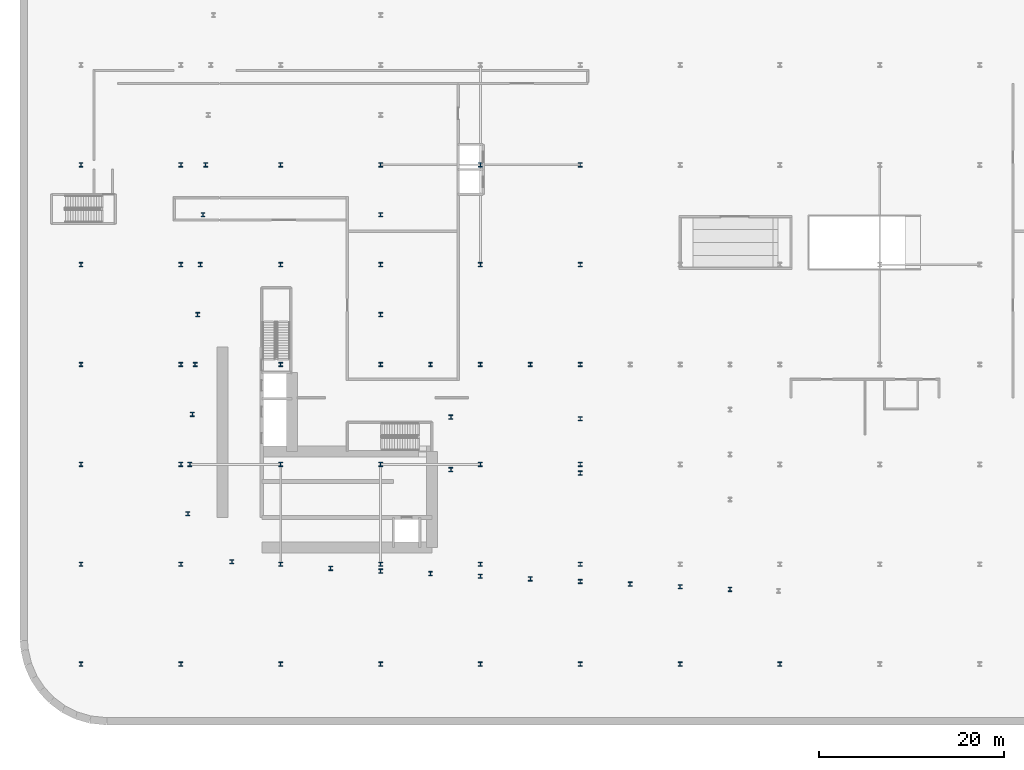
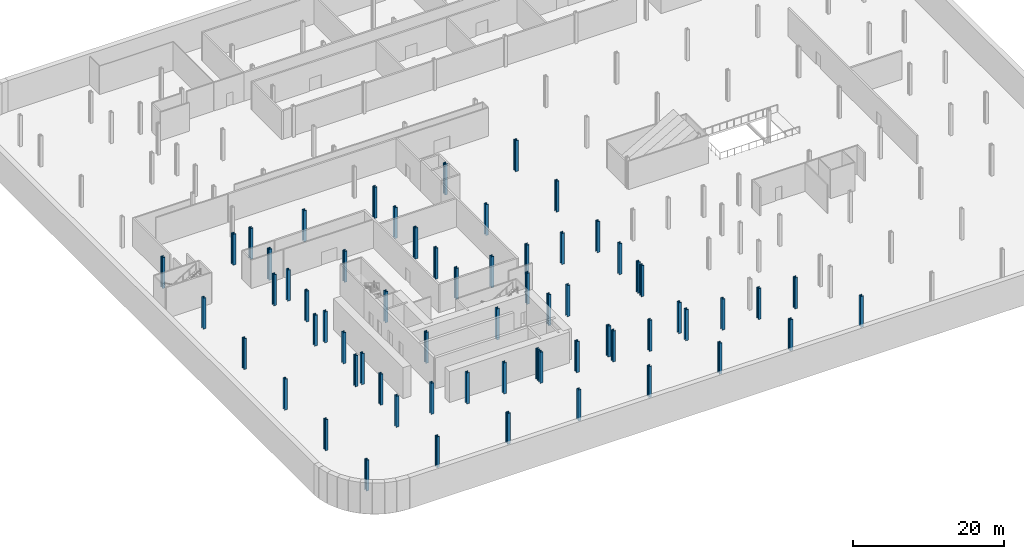
# One storey, part 1 of 19: 64 columns.
"""IFC4 building model written with IfcOpenShell, lengths in metres."""

from ifc_helpers import new_model, si_unit, direction, frame, origin, origin_2d, place, context, subcontext, project, spatial, i_section, extrude, material, material_profile, profile_set, type_object, element, save


model = new_model("IFC4")

# Units and contexts
model_context = context("Model", 3, precision=1e-05, world=origin(), true_north=direction((0.0, 1.0)))
body_context = subcontext(model_context, "Body", "Model", "MODEL_VIEW")
ifc_project = project(units=[si_unit("LENGTHUNIT", "METRE"), si_unit("AREAUNIT", "SQUARE_METRE"), si_unit("VOLUMEUNIT", "CUBIC_METRE"), si_unit("PLANEANGLEUNIT", "RADIAN"), si_unit("MASSUNIT", "GRAM", prefix="KILO")], contexts=[model_context])

# Site, building, storey
site_placement = place(None, origin())
site = spatial("IfcSite", under=ifc_project, at=site_placement, CompositionType="ELEMENT")
building_placement = place(site_placement, origin())
building = spatial("IfcBuilding", under=site, at=building_placement, Name="Kheshtan School and Residences Tower", CompositionType="ELEMENT")
storey_placement = place(building_placement, frame((0.0, 0.0, -10.0)))
storey = spatial("IfcBuildingStorey", under=building, at=storey_placement, Name="B2", CompositionType="ELEMENT", Elevation=-10.0)

# Columns
ifc_material = material(Name="Steel ASTM A992 Grade 50", Category="steel")
ifc_material_profile = material_profile(ifc_material, i_section(OverallWidth=0.424072265625, OverallDepth=0.47412109375, WebThickness=0.047607421875, FlangeThickness=0.0771484375, FilletRadius=0.01416015625, at=origin_2d()), Name="W360x634")
ifc_profile_set = profile_set([ifc_material_profile], Name="Steel ASTM A992 Grade 50")
column_type = type_object("IfcColumnType", Name="Column PC1 W360x634 ASTM A992 Grade 50", PredefinedType="COLUMN", material=ifc_profile_set)
for number, where, z_axis, x_axis, name in (
    (1, (15.199951171875, 13.199951171875, 0.0), (0.0, 0.0, 1.0), (1.0, 0.0, 0.0), "Column P-001"),
    (2, (26.0, 13.199951171875, 0.0), (0.0, 0.0, 1.0), (1.0, 0.0, 0.0), "Column P-002"),
    (3, (36.800048828125, 13.199951171875, 0.0), (0.0, 0.0, 1.0), (1.0, 0.0, 0.0), "Column P-003"),
    (4, (47.60009765625, 13.199951171875, 0.0), (0.0, 0.0, 1.0), (1.0, 0.0, 0.0), "Column P-004"),
    (5, (58.39990234375, 13.199951171875, 0.0), (0.0, 0.0, 1.0), (1.0, 0.0, 0.0), "Column P-005"),
    (6, (69.199951171875, 13.199951171875, 0.0), (0.0, 0.0, 1.0), (1.0, 0.0, 0.0), "Column P-006"),
    (7, (80.0, 13.199951171875, 0.0), (0.0, 0.0, 1.0), (1.0, 0.0, 0.0), "Column P-007"),
    (8, (90.800048828125, 13.199951171875, 0.0), (0.0, 0.0, 1.0), (1.0, 0.0, 0.0), "Column P-008"),
    (9, (15.199951171875, 24.0, 0.0), (0.0, 0.0, 1.0), (1.0, 0.0, 0.0), "Column P-013"),
    (10, (26.0, 24.0, 0.0), (0.0, 0.0, 1.0), (1.0, 0.0, 0.0), "Column P-014"),
    (11, (36.800048828125, 24.0, 0.0), (0.0, 0.0, 1.0), (1.0, 0.0, 0.0), "Column P-015"),
    (12, (47.60009765625, 24.0, 0.0), (0.0, 0.0, 1.0), (1.0, 0.0, 0.0), "Column P-016"),
    (13, (58.39990234375, 24.0, 0.0), (0.0, 0.0, 1.0), (1.0, 0.0, 0.0), "Column P-017"),
    (14, (69.199951171875, 24.0, 0.0), (0.0, 0.0, 1.0), (1.0, 0.0, 0.0), "Column P-018"),
    (15, (15.199951171875, 34.800048828125, 0.0), (0.0, 0.0, 1.0), (1.0, 0.0, 0.0), "Column P-025"),
    (16, (26.0, 34.800048828125, 0.0), (0.0, 0.0, 1.0), (1.0, 0.0, 0.0), "Column P-026"),
    (17, (36.800048828125, 34.800048828125, 0.0), (0.0, 0.0, 1.0), (1.0, 0.0, 0.0), "Column P-027"),
    (18, (47.60009765625, 34.800048828125, 0.0), (0.0, 0.0, 1.0), (1.0, 0.0, 0.0), "Column P-028"),
    (19, (58.39990234375, 34.800048828125, 0.0), (0.0, 0.0, 1.0), (1.0, 0.0, 0.0), "Column P-029"),
    (20, (69.199951171875, 34.800048828125, 0.0), (0.0, 0.0, 1.0), (1.0, 0.0, 0.0), "Column P-030"),
    (21, (15.199951171875, 45.60009765625, 0.0), (0.0, 0.0, 1.0), (1.0, 0.0, 0.0), "Column P-037"),
    (22, (26.0, 45.60009765625, 0.0), (0.0, 0.0, 1.0), (1.0, 0.0, 0.0), "Column P-038"),
    (23, (36.800048828125, 45.60009765625, 0.0), (0.0, 0.0, 1.0), (1.0, 0.0, 0.0), "Column P-039"),
    (24, (47.60009765625, 45.60009765625, 0.0), (0.0, 0.0, 1.0), (1.0, 0.0, 0.0), "Column P-040"),
    (25, (58.39990234375, 45.60009765625, 0.0), (0.0, 0.0, 1.0), (1.0, 0.0, 0.0), "Column P-041"),
    (26, (69.199951171875, 45.60009765625, 0.0), (0.0, 0.0, 1.0), (1.0, 0.0, 0.0), "Column P-042"),
    (27, (15.199951171875, 56.39990234375, 0.0), (0.0, 0.0, 1.0), (1.0, 0.0, 0.0), "Column P-049"),
    (28, (26.0, 56.39990234375, 0.0), (0.0, 0.0, 1.0), (1.0, 0.0, 0.0), "Column P-050"),
    (29, (36.800048828125, 56.39990234375, 0.0), (0.0, 0.0, 1.0), (1.0, 0.0, 0.0), "Column P-051"),
    (30, (47.60009765625, 56.39990234375, 0.0), (0.0, 0.0, 1.0), (1.0, 0.0, 0.0), "Column P-052"),
    (31, (58.39990234375, 56.39990234375, 0.0), (0.0, 0.0, 1.0), (1.0, 0.0, 0.0), "Column P-053"),
    (32, (69.199951171875, 56.39990234375, 0.0), (0.0, 0.0, 1.0), (1.0, 0.0, 0.0), "Column P-054"),
    (33, (15.199951171875, 67.199951171875, 0.0), (0.0, 0.0, 1.0), (1.0, 0.0, 0.0), "Column P-061"),
    (34, (26.0, 67.199951171875, 0.0), (0.0, 0.0, 1.0), (1.0, 0.0, 0.0), "Column P-062"),
    (35, (36.800048828125, 67.199951171875, 0.0), (0.0, 0.0, 1.0), (1.0, 0.0, 0.0), "Column P-063"),
    (36, (47.60009765625, 67.199951171875, 0.0), (0.0, 0.0, 1.0), (1.0, 0.0, 0.0), "Column P-064"),
    (37, (58.39990234375, 67.199951171875, 0.0), (0.0, 0.0, 1.0), (1.0, 0.0, 0.0), "Column P-065"),
    (38, (69.199951171875, 67.199951171875, 0.0), (0.0, 0.0, 1.0), (1.0, 0.0, 0.0), "Column P-066"),
    (39, (85.39990234375, 21.27001953125, 0.0), (0.0, 0.0, 1.0), (1.0, 0.0, 0.0), "Transfer column X02"),
    (40, (80.0, 21.56005859375, 0.0), (0.0, 0.0, 1.0), (1.0, 0.0, 0.0), "Transfer column X03"),
    (41, (74.60009765625, 21.840087890625, 0.0), (0.0, 0.0, 1.0), (1.0, 0.0, 0.0), "Transfer column X04"),
    (42, (69.199951171875, 22.1298828125, 0.0), (0.0, 0.0, 1.0), (1.0, 0.0, 0.0), "Transfer column X05"),
    (43, (63.800048828125, 22.409912109375, 0.0), (0.0, 0.0, 1.0), (1.0, 0.0, 0.0), "Transfer column X06"),
    (44, (58.39990234375, 22.699951171875, 0.0), (0.0, 0.0, 1.0), (1.0, 0.0, 0.0), "Transfer column X07"),
    (45, (53.0, 22.97998046875, 0.0), (0.0, 0.0, 1.0), (1.0, 0.0, 0.0), "Transfer column X08"),
    (46, (47.60009765625, 23.260009765625, 0.0), (0.0, 0.0, 1.0), (1.0, 0.0, 0.0), "Transfer column X09"),
    (47, (42.199951171875, 23.550048828125, 0.0), (0.0, 0.0, 1.0), (1.0, 0.0, 0.0), "Transfer column X10"),
    (48, (31.52001953125, 24.27001953125, 0.0), (0.0, 0.0, 1.0), (1.0, 0.0, 0.0), "Transfer column X11"),
    (49, (26.760009765625, 29.4599609375, 0.0), (0.0, 0.0, 1.0), (1.0, 0.0, 0.0), "Transfer column X12"),
    (50, (26.969970703125, 34.800048828125, 0.0), (0.0, 0.0, 1.0), (1.0, 0.0, 0.0), "Transfer column X13"),
    (51, (27.25, 40.199951171875, 0.0), (0.0, 0.0, 1.0), (1.0, 0.0, 0.0), "Transfer column X14"),
    (52, (27.5400390625, 45.60009765625, 0.0), (0.0, 0.0, 1.0), (1.0, 0.0, 0.0), "Transfer column X15"),
    (53, (53.0, 45.60009765625, 0.0), (0.0, 0.0, 1.0), (1.0, 0.0, 0.0), "Transfer column X16"),
    (54, (63.800048828125, 45.60009765625, 0.0), (0.0, 0.0, 1.0), (1.0, 0.0, 0.0), "Transfer column X17"),
    (55, (27.820068359375, 51.0, 0.0), (0.0, 0.0, 1.0), (1.0, 0.0, 0.0), "Transfer column X20"),
    (56, (47.60009765625, 51.0, 0.0), (0.0, 0.0, 1.0), (1.0, 0.0, 0.0), "Transfer column X21"),
    (57, (28.110107421875, 56.39990234375, 0.0), (0.0, 0.0, 1.0), (1.0, 0.0, 0.0), "Transfer column X22"),
    (58, (28.389892578125, 61.800048828125, 0.0), (0.0, 0.0, 1.0), (1.0, 0.0, 0.0), "Transfer column X23"),
    (59, (47.60009765625, 61.800048828125, 0.0), (0.0, 0.0, 1.0), (1.0, 0.0, 0.0), "Transfer column X24"),
    (60, (28.669921875, 67.199951171875, 0.0), (0.0, 0.0, 1.0), (1.0, 0.0, 0.0), "Transfer column X25"),
    (61, (69.199951171875, 33.860107421875, 0.0), (0.0, 0.0, 1.0), (1.0, 0.0, 0.0), "Transfer column X36"),
    (62, (55.199951171875, 34.22998046875, 0.0), (0.0, 0.0, 1.0), (1.0, 0.0, 0.0), "Transfer column X37"),
    (63, (69.199951171875, 39.72998046875, 0.0), (0.0, 0.0, 1.0), (1.0, 0.0, 0.0), "Transfer column X39"),
    (64, (55.199951171875, 39.919921875, 0.0), (0.0, 0.0, 1.0), (1.0, 0.0, 0.0), "Transfer column X40"),
):
    element("IfcColumn", number, at=place(storey_placement, frame(where, z_axis=z_axis, x_axis=x_axis)), inside=storey, type_object=column_type, Name=name, PredefinedType="COLUMN", context=body_context, shape_type="SweptSolid", body=[
        extrude(i_section(OverallWidth=0.424072265625, OverallDepth=0.47412109375, WebThickness=0.047607421875, FlangeThickness=0.0771484375, FilletRadius=0.01416015625, at=origin_2d()), origin(), (0.0, 0.0, 1.0), 5.0),
    ])

save(model, "model.ifc")
